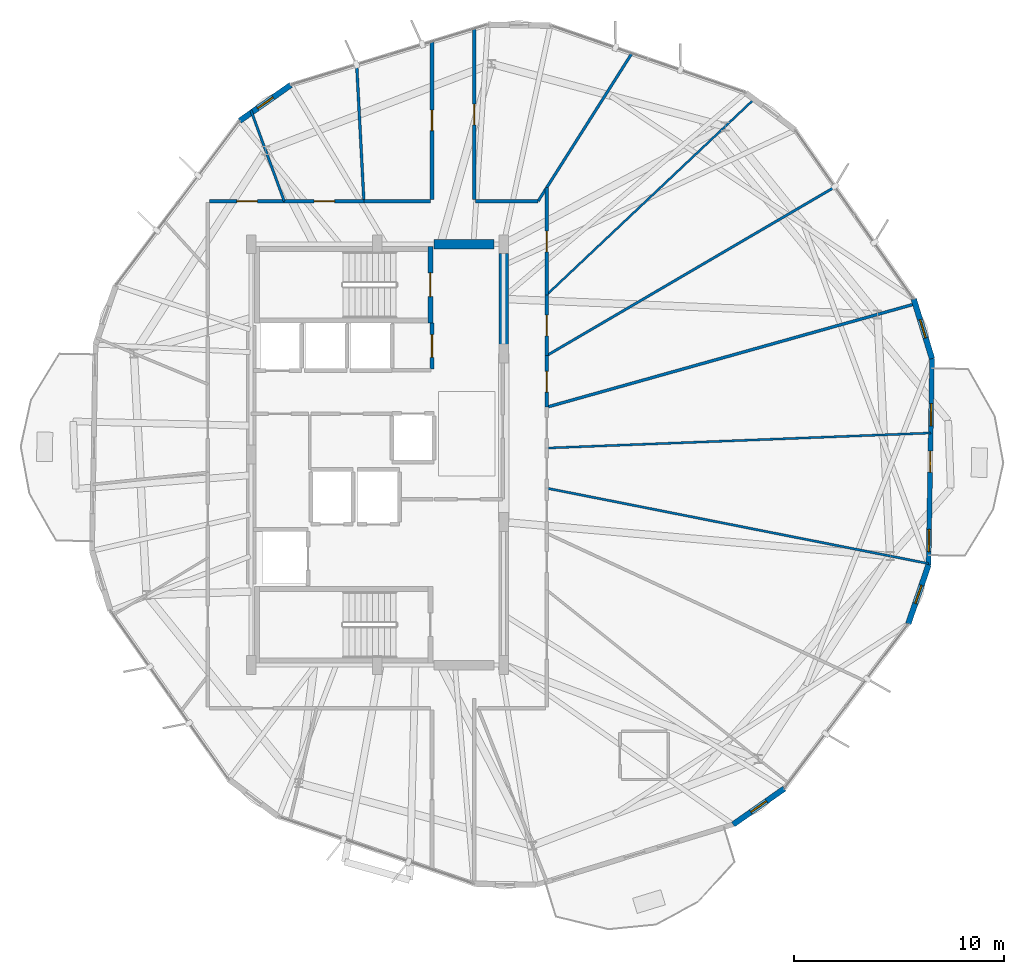
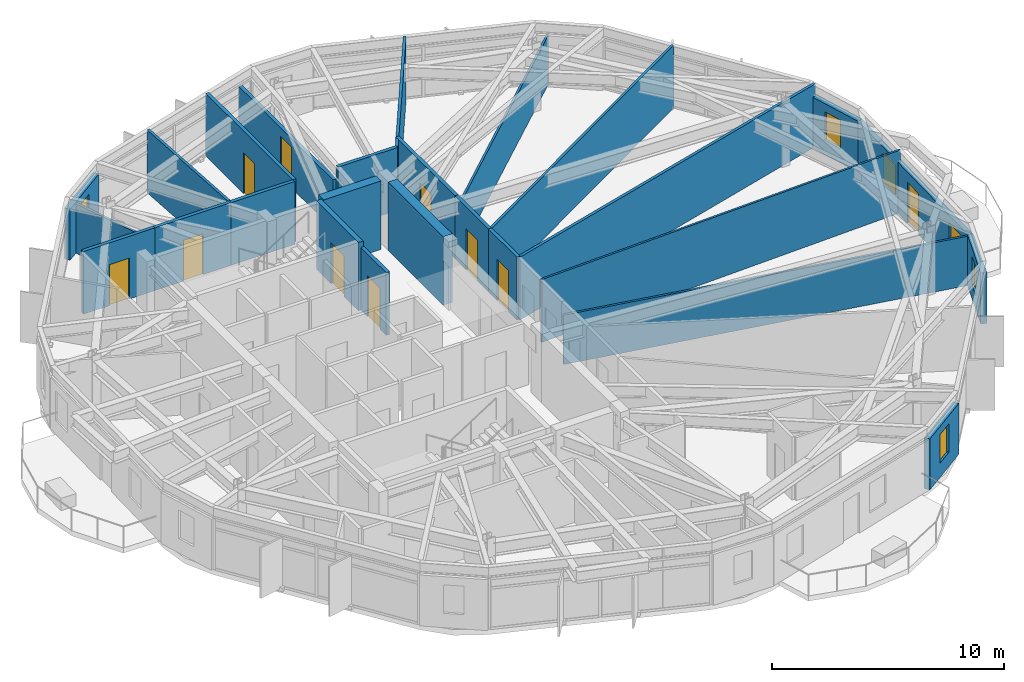
# One storey, part 25 of 29: 26 walls, 10 doors, 6 windows, 16 openings.
"""IFC4 building model written with IfcOpenShell, lengths in metres."""

from ifc_helpers import new_model, si_unit, direction, frame, frame_2d, origin, place, context, subcontext, project, spatial, rectangle, extrude, material, layer, layer_set, type_object, element, fill, save


model = new_model("IFC4")

# Units and contexts
model_context = context("Model", 3, precision=1e-05, world=origin(), true_north=direction((0.0, 1.0)))
body_context = subcontext(model_context, "Body", "Model", "MODEL_VIEW")
ifc_project = project(units=[si_unit("LENGTHUNIT", "METRE"), si_unit("AREAUNIT", "SQUARE_METRE"), si_unit("VOLUMEUNIT", "CUBIC_METRE"), si_unit("PLANEANGLEUNIT", "RADIAN"), si_unit("MASSUNIT", "GRAM", prefix="KILO")], contexts=[model_context])

# Site, building, storey
site_placement = place(None, origin())
site = spatial("IfcSite", under=ifc_project, at=site_placement, CompositionType="ELEMENT")
building_placement = place(site_placement, origin())
building = spatial("IfcBuilding", under=site, at=building_placement, Name="Soratama Intermodal Tower", CompositionType="ELEMENT")
storey_placement = place(building_placement, frame((0.0, 0.0, 226.60009765625)))
storey = spatial("IfcBuildingStorey", under=building, at=storey_placement, Name="L57", CompositionType="ELEMENT", Elevation=226.60009765625)

# Wall, openings, door, windows
ifc_material_1 = material(Name="Concrete f'c 42 MPa", Category="concrete")
ifc_layer_1 = layer(ifc_material_1, 0.22998046875)
ifc_layer_set_1 = layer_set([ifc_layer_1], Name="Concrete f'c 42 MPa")
wall_type_1 = type_object("IfcWallType", Name="EW-BAL-230", PredefinedType="SOLIDWALL", material=ifc_layer_set_1)
wall_1_placement = place(storey_placement, frame((64.792236328125, 19.768798828125, 0.0), z_axis=(0.0, 0.0, 1.0), x_axis=(0.016744898116, 0.999859794365, 0.0)))
wall_1 = element("IfcWall", 1, at=wall_1_placement, inside=storey, type_object=wall_type_1, Name="L57 Terrace Wall F09", PredefinedType="SOLIDWALL", context=body_context, shape_type="SweptSolid", body=[
    extrude(rectangle(XDim=9.7978515625, YDim=0.22998046875, at=frame_2d((4.89892578125, 0.0))), origin(), (0.0, 0.0, 1.0), 2.678955078125),
])
opening_1_placement = place(wall_1_placement, frame((4.398681640625, 0.0, 0.0)))
opening_1 = element("IfcOpeningElement", 2, at=opening_1_placement, cuts=wall_1, Name="Opening ED-2", PredefinedType="OPENING", context=body_context, shape_type="SweptSolid", body=[
    extrude(rectangle(XDim=1.0, YDim=2.14990234375, at=frame_2d((0.5, 1.074951171875))), frame((0.0, 0.125, 0.0), z_axis=(0.0, -1.0, 0.0), x_axis=(1.0, 0.0, 0.0)), (0.0, 0.0, 1.0), 0.25),
])
opening_2_placement = place(wall_1_placement, frame((0.629150390625, 0.0, 0.719970703125)))
opening_2 = element("IfcOpeningElement", 3, at=opening_2_placement, cuts=wall_1, Name="Opening WN-5", PredefinedType="OPENING", context=body_context, shape_type="SweptSolid", body=[
    extrude(rectangle(XDim=1.050048828125, YDim=1.550048828125, at=frame_2d((0.52490234375, 0.77490234375))), frame((0.0, 0.125, 0.0), z_axis=(0.0, -1.0, 0.0), x_axis=(1.0, 0.0, 0.0)), (0.0, 0.0, 1.0), 0.25),
])
opening_3_placement = place(wall_1_placement, frame((6.60595703125, 0.0, 0.719970703125)))
opening_3 = element("IfcOpeningElement", 4, at=opening_3_placement, cuts=wall_1, Name="Opening WN-5", PredefinedType="OPENING", context=body_context, shape_type="SweptSolid", body=[
    extrude(rectangle(XDim=1.050048828125, YDim=1.550048828125, at=frame_2d((0.52490234375, 0.77490234375))), frame((0.0, 0.125, 0.0), z_axis=(0.0, -1.0, 0.0), x_axis=(1.0, 0.0, 0.0)), (0.0, 0.0, 1.0), 0.25),
])
ifc_material_2 = material(Name="Double-glazed aluminium door", Category="aluminium")
door_type_1 = type_object("IfcDoorType", Name="DR-BAL-1000", OperationType="NOTDEFINED", PredefinedType="DOOR", material=ifc_material_2)
door_1_placement = place(opening_1_placement, origin())
door_1 = element("IfcDoor", 5, at=door_1_placement, inside=storey, type_object=door_type_1, Name="L57 Balcony Door F09", OperationType="SINGLE_SWING_LEFT", OverallHeight=2.14990234375, OverallWidth=1.0, PredefinedType="DOOR", context=body_context, shape_type="SweptSolid", body=[
    extrude(rectangle(XDim=1.0, YDim=2.14990234375, at=frame_2d((0.5, 1.074951171875))), frame((0.0, 0.02490234375, 0.0), z_axis=(0.0, -1.0, 0.0), x_axis=(1.0, 0.0, 0.0)), (0.0, 0.0, 1.0), 0.050048828125),
])
fill(opening_1, door_1)
ifc_material_3 = material(Name="Double-glazed aluminium window", Category="aluminium")
window_type_1 = type_object("IfcWindowType", Name="WN-FAC-1050", PartitioningType="SINGLE_PANEL", PredefinedType="WINDOW", material=ifc_material_3)
window_1_placement = place(opening_2_placement, origin())
window_1 = element("IfcWindow", 6, at=window_1_placement, inside=storey, type_object=window_type_1, Name="L57 Window A F09", OverallHeight=1.550048828125, OverallWidth=1.050048828125, PartitioningType="SINGLE_PANEL", PredefinedType="WINDOW", context=body_context, shape_type="SweptSolid", body=[
    extrude(rectangle(XDim=1.050048828125, YDim=1.550048828125, at=frame_2d((0.52490234375, 0.77490234375))), frame((0.0, 0.030029296875, 0.0), z_axis=(0.0, -1.0, 0.0), x_axis=(1.0, 0.0, 0.0)), (0.0, 0.0, 1.0), 0.06005859375),
])
fill(opening_2, window_1)
window_2_placement = place(opening_3_placement, origin())
window_2 = element("IfcWindow", 7, at=window_2_placement, inside=storey, type_object=window_type_1, Name="L57 Window B F09", OverallHeight=1.550048828125, OverallWidth=1.050048828125, PartitioningType="SINGLE_PANEL", PredefinedType="WINDOW", context=body_context, shape_type="SweptSolid", body=[
    extrude(rectangle(XDim=1.050048828125, YDim=1.550048828125, at=frame_2d((0.52490234375, 0.77490234375))), frame((0.0, 0.030029296875, 0.0), z_axis=(0.0, -1.0, 0.0), x_axis=(1.0, 0.0, 0.0)), (0.0, 0.0, 1.0), 0.06005859375),
])
fill(opening_3, window_2)

# Wall, opening, window
ifc_material_4 = material(Name="Concrete f'c 42 MPa", Category="concrete")
ifc_layer_2 = layer(ifc_material_4, 0.27001953125)
ifc_layer_set_2 = layer_set([ifc_layer_2], Name="Concrete f'c 42 MPa")
wall_type_2 = type_object("IfcWallType", Name="EW-CRN-270", PredefinedType="SOLIDWALL", material=ifc_layer_set_2)
wall_2_placement = place(storey_placement, frame((34.491455078125, 42.56884765625, 0.0), z_axis=(0.0, 0.0, 1.0), x_axis=(-0.818779304738, -0.574108395804, 0.0)))
wall_2 = element("IfcWall", 8, at=wall_2_placement, inside=storey, type_object=wall_type_2, Name="L57 Corner Closure Wall 02", PredefinedType="SOLIDWALL", context=body_context, shape_type="SweptSolid", body=[
    extrude(rectangle(XDim=2.966552734375, YDim=0.27001953125, at=frame_2d((1.4833984375, 0.0))), origin(), (0.0, 0.0, 1.0), 2.678955078125),
])
opening_4_placement = place(wall_2_placement, frame((1.033203125, 0.0, 0.75)))
opening_4 = element("IfcOpeningElement", 9, at=opening_4_placement, cuts=wall_2, Name="Opening WN-6", PredefinedType="OPENING", context=body_context, shape_type="SweptSolid", body=[
    extrude(rectangle(XDim=0.89990234375, YDim=1.5, at=frame_2d((0.449951171875, 0.75))), frame((0.0, 0.14501953125, 0.0), z_axis=(0.0, -1.0, 0.0), x_axis=(1.0, 0.0, 0.0)), (0.0, 0.0, 1.0), 0.2900390625),
])
ifc_material_5 = material(Name="Double-glazed aluminium window", Category="aluminium")
window_type_2 = type_object("IfcWindowType", Name="WN-FAC-900", PartitioningType="SINGLE_PANEL", PredefinedType="WINDOW", material=ifc_material_5)
window_3_placement = place(opening_4_placement, origin())
window_3 = element("IfcWindow", 10, at=window_3_placement, inside=storey, type_object=window_type_2, Name="L57 Corner Window 02", OverallHeight=1.5, OverallWidth=0.89990234375, PartitioningType="SINGLE_PANEL", PredefinedType="WINDOW", context=body_context, shape_type="SweptSolid", body=[
    extrude(rectangle(XDim=0.89990234375, YDim=1.5, at=frame_2d((0.449951171875, 0.75))), frame((0.0, 0.030029296875, 0.0), z_axis=(0.0, -1.0, 0.0), x_axis=(1.0, 0.0, 0.0)), (0.0, 0.0, 1.0), 0.06005859375),
])
fill(opening_4, window_3)

wall_3_placement = place(storey_placement, frame((55.508544921875, 7.43115234375, 0.0), z_axis=(0.0, 0.0, 1.0), x_axis=(0.818779304738, 0.574108395804, 0.0)))
wall_3 = element("IfcWall", 11, at=wall_3_placement, inside=storey, type_object=wall_type_2, Name="L57 Corner Closure Wall 07", PredefinedType="SOLIDWALL", context=body_context, shape_type="SweptSolid", body=[
    extrude(rectangle(XDim=2.966552734375, YDim=0.27001953125, at=frame_2d((1.4833984375, 0.0))), origin(), (0.0, 0.0, 1.0), 2.678955078125),
])
opening_5_placement = place(wall_3_placement, frame((1.033203125, 0.0, 0.75)))
opening_5 = element("IfcOpeningElement", 12, at=opening_5_placement, cuts=wall_3, Name="Opening WN-6", PredefinedType="OPENING", context=body_context, shape_type="SweptSolid", body=[
    extrude(rectangle(XDim=0.89990234375, YDim=1.5, at=frame_2d((0.449951171875, 0.75))), frame((0.0, 0.14501953125, 0.0), z_axis=(0.0, -1.0, 0.0), x_axis=(1.0, 0.0, 0.0)), (0.0, 0.0, 1.0), 0.2900390625),
])
window_4_placement = place(opening_5_placement, origin())
window_4 = element("IfcWindow", 13, at=window_4_placement, inside=storey, type_object=window_type_2, Name="L57 Corner Window 07", OverallHeight=1.5, OverallWidth=0.89990234375, PartitioningType="SINGLE_PANEL", PredefinedType="WINDOW", context=body_context, shape_type="SweptSolid", body=[
    extrude(rectangle(XDim=0.89990234375, YDim=1.5, at=frame_2d((0.449951171875, 0.75))), frame((0.0, 0.030029296875, 0.0), z_axis=(0.0, -1.0, 0.0), x_axis=(1.0, 0.0, 0.0)), (0.0, 0.0, 1.0), 0.06005859375),
])
fill(opening_5, window_4)

wall_4_placement = place(storey_placement, frame((63.828369140625, 16.963134765625, 0.0), z_axis=(0.0, 0.0, 1.0), x_axis=(0.324904964625, 0.945746670077, 0.0)))
wall_4 = element("IfcWall", 14, at=wall_4_placement, inside=storey, type_object=wall_type_2, Name="L57 Corner Closure Wall 08", PredefinedType="SOLIDWALL", context=body_context, shape_type="SweptSolid", body=[
    extrude(rectangle(XDim=2.966552734375, YDim=0.27001953125, at=frame_2d((1.4833984375, 0.0))), origin(), (0.0, 0.0, 1.0), 2.678955078125),
])
opening_6_placement = place(wall_4_placement, frame((1.033203125, 0.0, 0.75)))
opening_6 = element("IfcOpeningElement", 15, at=opening_6_placement, cuts=wall_4, Name="Opening WN-6", PredefinedType="OPENING", context=body_context, shape_type="SweptSolid", body=[
    extrude(rectangle(XDim=0.89990234375, YDim=1.5, at=frame_2d((0.449951171875, 0.75))), frame((0.0, 0.14501953125, 0.0), z_axis=(0.0, -1.0, 0.0), x_axis=(1.0, 0.0, 0.0)), (0.0, 0.0, 1.0), 0.2900390625),
])
window_5_placement = place(opening_6_placement, origin())
window_5 = element("IfcWindow", 16, at=window_5_placement, inside=storey, type_object=window_type_2, Name="L57 Corner Window 08", OverallHeight=1.5, OverallWidth=0.89990234375, PartitioningType="SINGLE_PANEL", PredefinedType="WINDOW", context=body_context, shape_type="SweptSolid", body=[
    extrude(rectangle(XDim=0.89990234375, YDim=1.5, at=frame_2d((0.449951171875, 0.75))), frame((0.0, 0.030029296875, 0.0), z_axis=(0.0, -1.0, 0.0), x_axis=(1.0, 0.0, 0.0)), (0.0, 0.0, 1.0), 0.06005859375),
])
fill(opening_6, window_5)

wall_5_placement = place(storey_placement, frame((64.956298828125, 29.565185546875, 0.0), z_axis=(0.0, 0.0, 1.0), x_axis=(-0.293050545602, 0.95609694996, 0.0)))
wall_5 = element("IfcWall", 17, at=wall_5_placement, inside=storey, type_object=wall_type_2, Name="L57 Corner Closure Wall 09", PredefinedType="SOLIDWALL", context=body_context, shape_type="SweptSolid", body=[
    extrude(rectangle(XDim=2.966552734375, YDim=0.27001953125, at=frame_2d((1.4833984375, 0.0))), origin(), (0.0, 0.0, 1.0), 2.678955078125),
])
opening_7_placement = place(wall_5_placement, frame((1.033203125, 0.0, 0.75)))
opening_7 = element("IfcOpeningElement", 18, at=opening_7_placement, cuts=wall_5, Name="Opening WN-6", PredefinedType="OPENING", context=body_context, shape_type="SweptSolid", body=[
    extrude(rectangle(XDim=0.89990234375, YDim=1.5, at=frame_2d((0.449951171875, 0.75))), frame((0.0, 0.14501953125, 0.0), z_axis=(0.0, -1.0, 0.0), x_axis=(1.0, 0.0, 0.0)), (0.0, 0.0, 1.0), 0.2900390625),
])
window_6_placement = place(opening_7_placement, origin())
window_6 = element("IfcWindow", 19, at=window_6_placement, inside=storey, type_object=window_type_2, Name="L57 Corner Window 09", OverallHeight=1.5, OverallWidth=0.89990234375, PartitioningType="SINGLE_PANEL", PredefinedType="WINDOW", context=body_context, shape_type="SweptSolid", body=[
    extrude(rectangle(XDim=0.89990234375, YDim=1.5, at=frame_2d((0.449951171875, 0.75))), frame((0.0, 0.030029296875, 0.0), z_axis=(0.0, -1.0, 0.0), x_axis=(1.0, 0.0, 0.0)), (0.0, 0.0, 1.0), 0.06005859375),
])
fill(opening_7, window_6)

# Wall, opening, door
ifc_material_6 = material(Name="Fire-rated gypsum stud partition", Category="concrete")
ifc_layer_3 = layer(ifc_material_6, 0.169921875)
ifc_layer_set_3 = layer_set([ifc_layer_3], Name="Fire-rated gypsum stud partition")
wall_type_3 = type_object("IfcWallType", Name="IW-PART-R170", PredefinedType="PARTITIONING", material=ifc_layer_set_3)
wall_6_placement = place(storey_placement, frame((43.199951171875, 45.238037109375, 0.0), z_axis=(0.0, 0.0, 1.0), x_axis=(0.0, -1.0, 0.0)))
wall_6 = element("IfcWall", 20, at=wall_6_placement, inside=storey, type_object=wall_type_3, Name="L57 Partition W-L57-TP010", PredefinedType="PARTITIONING", context=body_context, shape_type="SweptSolid", body=[
    extrude(rectangle(XDim=8.117919921875, YDim=0.169921875, at=frame_2d((4.05908203125, 0.0))), origin(), (0.0, 0.0, 1.0), 2.594970703125),
])
opening_8_placement = place(wall_6_placement, frame((3.583984375, 0.0, 0.0)))
opening_8 = element("IfcOpeningElement", 21, at=opening_8_placement, cuts=wall_6, Name="Opening ID-5", PredefinedType="OPENING", context=body_context, shape_type="SweptSolid", body=[
    extrude(rectangle(XDim=0.97998046875, YDim=2.14990234375, at=frame_2d((0.489990234375, 1.074951171875))), frame((0.0, 0.094970703125, 0.0), z_axis=(0.0, -1.0, 0.0), x_axis=(1.0, 0.0, 0.0)), (0.0, 0.0, 1.0), 0.18994140625),
])
ifc_material_7 = material(Name="Solid hardwood acoustic door", Category="wood")
door_type_2 = type_object("IfcDoorType", Name="DR-OFF-980", OperationType="NOTDEFINED", PredefinedType="DOOR", material=ifc_material_7)
door_2_placement = place(opening_8_placement, origin())
door_2 = element("IfcDoor", 22, at=door_2_placement, inside=storey, type_object=door_type_2, Name="L57 Door D-L57-TP001", OperationType="SINGLE_SWING_RIGHT", OverallHeight=2.14990234375, OverallWidth=0.97998046875, PredefinedType="DOOR", context=body_context, shape_type="SweptSolid", body=[
    extrude(rectangle(XDim=0.97998046875, YDim=2.14990234375, at=frame_2d((0.489990234375, 1.074951171875))), frame((0.0, 0.02490234375, 0.0), z_axis=(0.0, -1.0, 0.0), x_axis=(1.0, 0.0, 0.0)), (0.0, 0.0, 1.0), 0.050048828125),
])
fill(opening_8, door_2)

wall_7_placement = place(storey_placement, frame((41.199951171875, 37.1201171875, 0.0), z_axis=(0.0, 0.0, 1.0), x_axis=(0.0, 1.0, 0.0)))
wall_7 = element("IfcWall", 23, at=wall_7_placement, inside=storey, type_object=wall_type_3, Name="L57 Partition W-L57-TP012", PredefinedType="PARTITIONING", context=body_context, shape_type="SweptSolid", body=[
    extrude(rectangle(XDim=7.5048828125, YDim=0.169921875, at=frame_2d((3.75244140625, 0.0))), origin(), (0.0, 0.0, 1.0), 3.2998046875),
])
opening_9_placement = place(wall_7_placement, frame((3.278076171875, 0.0, 0.0)))
opening_9 = element("IfcOpeningElement", 24, at=opening_9_placement, cuts=wall_7, Name="Opening ID-5", PredefinedType="OPENING", context=body_context, shape_type="SweptSolid", body=[
    extrude(rectangle(XDim=0.97998046875, YDim=2.14990234375, at=frame_2d((0.489990234375, 1.074951171875))), frame((0.0, 0.094970703125, 0.0), z_axis=(0.0, -1.0, 0.0), x_axis=(1.0, 0.0, 0.0)), (0.0, 0.0, 1.0), 0.18994140625),
])
door_3_placement = place(opening_9_placement, origin())
door_3 = element("IfcDoor", 25, at=door_3_placement, inside=storey, type_object=door_type_2, Name="L57 Door D-L57-TP003", OperationType="SINGLE_SWING_RIGHT", OverallHeight=2.14990234375, OverallWidth=0.97998046875, PredefinedType="DOOR", context=body_context, shape_type="SweptSolid", body=[
    extrude(rectangle(XDim=0.97998046875, YDim=2.14990234375, at=frame_2d((0.489990234375, 1.074951171875))), frame((0.0, 0.02490234375, 0.0), z_axis=(0.0, -1.0, 0.0), x_axis=(1.0, 0.0, 0.0)), (0.0, 0.0, 1.0), 0.050048828125),
])
fill(opening_9, door_3)

wall_8_placement = place(storey_placement, frame((46.64990234375, 37.695068359375, 0.0), z_axis=(0.0, 0.0, 1.0), x_axis=(0.0, -1.0, 0.0)))
wall_8 = element("IfcWall", 26, at=wall_8_placement, inside=storey, type_object=wall_type_3, Name="L57 Partition W-L57-TP024", PredefinedType="PARTITIONING", context=body_context, shape_type="SweptSolid", body=[
    extrude(rectangle(XDim=5.09814453125, YDim=0.169921875, at=frame_2d((2.549072265625, 0.0))), origin(), (0.0, 0.0, 1.0), 3.2998046875),
])
opening_10_placement = place(wall_8_placement, frame((2.073974609375, 0.0, 0.0)))
opening_10 = element("IfcOpeningElement", 27, at=opening_10_placement, cuts=wall_8, Name="Opening ID-5", PredefinedType="OPENING", context=body_context, shape_type="SweptSolid", body=[
    extrude(rectangle(XDim=0.97998046875, YDim=2.14990234375, at=frame_2d((0.489990234375, 1.074951171875))), frame((0.0, 0.094970703125, 0.0), z_axis=(0.0, -1.0, 0.0), x_axis=(1.0, 0.0, 0.0)), (0.0, 0.0, 1.0), 0.18994140625),
])
door_4_placement = place(opening_10_placement, origin())
door_4 = element("IfcDoor", 28, at=door_4_placement, inside=storey, type_object=door_type_2, Name="L57 Door D-L57-TP009", OperationType="SINGLE_SWING_RIGHT", OverallHeight=2.14990234375, OverallWidth=0.97998046875, PredefinedType="DOOR", context=body_context, shape_type="SweptSolid", body=[
    extrude(rectangle(XDim=0.97998046875, YDim=2.14990234375, at=frame_2d((0.489990234375, 1.074951171875))), frame((0.0, 0.02490234375, 0.0), z_axis=(0.0, -1.0, 0.0), x_axis=(1.0, 0.0, 0.0)), (0.0, 0.0, 1.0), 0.050048828125),
])
fill(opening_10, door_4)

wall_9_placement = place(storey_placement, frame((34.177001953125, 37.050048828125, 0.0), z_axis=(0.0, 0.0, 1.0), x_axis=(1.0, 0.0, 0.0)))
wall_9 = element("IfcWall", 29, at=wall_9_placement, inside=storey, type_object=wall_type_3, Name="L57 Partition W-L57-TP029", PredefinedType="PARTITIONING", context=body_context, shape_type="SweptSolid", body=[
    extrude(rectangle(XDim=3.785888671875, YDim=0.169921875, at=frame_2d((1.89306640625, 0.0))), origin(), (0.0, 0.0, 1.0), 3.2998046875),
])
opening_11_placement = place(wall_9_placement, frame((1.41796875, 0.0, 0.0)))
opening_11 = element("IfcOpeningElement", 30, at=opening_11_placement, cuts=wall_9, Name="Opening ID-5", PredefinedType="OPENING", context=body_context, shape_type="SweptSolid", body=[
    extrude(rectangle(XDim=0.97998046875, YDim=2.14990234375, at=frame_2d((0.489990234375, 1.074951171875))), frame((0.0, 0.094970703125, 0.0), z_axis=(0.0, -1.0, 0.0), x_axis=(1.0, 0.0, 0.0)), (0.0, 0.0, 1.0), 0.18994140625),
])
door_5_placement = place(opening_11_placement, origin())
door_5 = element("IfcDoor", 31, at=door_5_placement, inside=storey, type_object=door_type_2, Name="L57 Door D-L57-TP013", OperationType="SINGLE_SWING_RIGHT", OverallHeight=2.14990234375, OverallWidth=0.97998046875, PredefinedType="DOOR", context=body_context, shape_type="SweptSolid", body=[
    extrude(rectangle(XDim=0.97998046875, YDim=2.14990234375, at=frame_2d((0.489990234375, 1.074951171875))), frame((0.0, 0.02490234375, 0.0), z_axis=(0.0, -1.0, 0.0), x_axis=(1.0, 0.0, 0.0)), (0.0, 0.0, 1.0), 0.050048828125),
])
fill(opening_11, door_5)

wall_10_placement = place(storey_placement, frame((30.6201171875, 37.050048828125, 0.0), z_axis=(0.0, 0.0, 1.0), x_axis=(1.0, 0.0, 0.0)))
wall_10 = element("IfcWall", 32, at=wall_10_placement, inside=storey, type_object=wall_type_3, Name="L57 Partition W-L57-TP030", PredefinedType="PARTITIONING", context=body_context, shape_type="SweptSolid", body=[
    extrude(rectangle(XDim=3.556884765625, YDim=0.169921875, at=frame_2d((1.7783203125, 0.0))), origin(), (0.0, 0.0, 1.0), 3.2998046875),
])
opening_12_placement = place(wall_10_placement, frame((1.302978515625, 0.0, 0.0)))
opening_12 = element("IfcOpeningElement", 33, at=opening_12_placement, cuts=wall_10, Name="Opening ID-5", PredefinedType="OPENING", context=body_context, shape_type="SweptSolid", body=[
    extrude(rectangle(XDim=0.97998046875, YDim=2.14990234375, at=frame_2d((0.489990234375, 1.074951171875))), frame((0.0, 0.094970703125, 0.0), z_axis=(0.0, -1.0, 0.0), x_axis=(1.0, 0.0, 0.0)), (0.0, 0.0, 1.0), 0.18994140625),
])
door_6_placement = place(opening_12_placement, origin())
door_6 = element("IfcDoor", 34, at=door_6_placement, inside=storey, type_object=door_type_2, Name="L57 Door D-L57-TP014", OperationType="SINGLE_SWING_LEFT", OverallHeight=2.14990234375, OverallWidth=0.97998046875, PredefinedType="DOOR", context=body_context, shape_type="SweptSolid", body=[
    extrude(rectangle(XDim=0.97998046875, YDim=2.14990234375, at=frame_2d((0.489990234375, 1.074951171875))), frame((0.0, 0.02490234375, 0.0), z_axis=(0.0, -1.0, 0.0), x_axis=(1.0, 0.0, 0.0)), (0.0, 0.0, 1.0), 0.050048828125),
])
fill(opening_12, door_6)

# Walls
wall_11_placement = place(storey_placement, frame((37.962890625, 37.050048828125, 0.0), z_axis=(0.0, 0.0, 1.0), x_axis=(1.0, 0.0, 0.0)))
element("IfcWall", 35, at=wall_11_placement, inside=storey, type_object=wall_type_3, Name="L57 Partition W-L57-TP033", PredefinedType="PARTITIONING", context=body_context, shape_type="SweptSolid", body=[
    extrude(rectangle(XDim=3.1669921875, YDim=0.169921875, at=frame_2d((1.58349609375, 0.0))), origin(), (0.0, 0.0, 1.0), 3.2998046875),
])
wall_12_placement = place(storey_placement, frame((43.27001953125, 37.050048828125, 0.0), z_axis=(0.0, 0.0, 1.0), x_axis=(1.0, 0.0, 0.0)))
element("IfcWall", 36, at=wall_12_placement, inside=storey, type_object=wall_type_3, Name="L57 Partition W-L57-TP036", PredefinedType="PARTITIONING", context=body_context, shape_type="SweptSolid", body=[
    extrude(rectangle(XDim=2.970947265625, YDim=0.169921875, at=frame_2d((1.4853515625, 0.0))), origin(), (0.0, 0.0, 1.0), 3.2998046875),
])

# Wall, opening, door
wall_13_placement = place(storey_placement, frame((46.64990234375, 32.596923828125, 0.0), z_axis=(0.0, 0.0, 1.0), x_axis=(0.0, -1.0, 0.0)))
wall_13 = element("IfcWall", 37, at=wall_13_placement, inside=storey, type_object=wall_type_3, Name="L57 Partition W-L57-TP037", PredefinedType="PARTITIONING", context=body_context, shape_type="SweptSolid", body=[
    extrude(rectangle(XDim=2.885986328125, YDim=0.169921875, at=frame_2d((1.44287109375, 0.0))), origin(), (0.0, 0.0, 1.0), 3.2998046875),
])
opening_13_placement = place(wall_13_placement, frame((0.968017578125, 0.0, 0.0)))
opening_13 = element("IfcOpeningElement", 38, at=opening_13_placement, cuts=wall_13, Name="Opening ID-5", PredefinedType="OPENING", context=body_context, shape_type="SweptSolid", body=[
    extrude(rectangle(XDim=0.97998046875, YDim=2.14990234375, at=frame_2d((0.489990234375, 1.074951171875))), frame((0.0, 0.094970703125, 0.0), z_axis=(0.0, -1.0, 0.0), x_axis=(1.0, 0.0, 0.0)), (0.0, 0.0, 1.0), 0.18994140625),
])
door_7_placement = place(opening_13_placement, origin())
door_7 = element("IfcDoor", 39, at=door_7_placement, inside=storey, type_object=door_type_2, Name="L57 Door D-L57-TP016", OperationType="SINGLE_SWING_LEFT", OverallHeight=2.14990234375, OverallWidth=0.97998046875, PredefinedType="DOOR", context=body_context, shape_type="SweptSolid", body=[
    extrude(rectangle(XDim=0.97998046875, YDim=2.14990234375, at=frame_2d((0.489990234375, 1.074951171875))), frame((0.0, 0.02490234375, 0.0), z_axis=(0.0, -1.0, 0.0), x_axis=(1.0, 0.0, 0.0)), (0.0, 0.0, 1.0), 0.050048828125),
])
fill(opening_13, door_7)

wall_14_placement = place(storey_placement, frame((46.64990234375, 29.7109375, 0.0), z_axis=(0.0, 0.0, 1.0), x_axis=(0.0, -1.0, 0.0)))
wall_14 = element("IfcWall", 40, at=wall_14_placement, inside=storey, type_object=wall_type_3, Name="L57 Partition W-L57-TP041", PredefinedType="PARTITIONING", context=body_context, shape_type="SweptSolid", body=[
    extrude(rectangle(XDim=2.452880859375, YDim=0.169921875, at=frame_2d((1.2265625, 0.0))), origin(), (0.0, 0.0, 1.0), 3.2998046875),
])
opening_14_placement = place(wall_14_placement, frame((0.7509765625, 0.0, 0.0)))
opening_14 = element("IfcOpeningElement", 41, at=opening_14_placement, cuts=wall_14, Name="Opening ID-5", PredefinedType="OPENING", context=body_context, shape_type="SweptSolid", body=[
    extrude(rectangle(XDim=0.97998046875, YDim=2.14990234375, at=frame_2d((0.489990234375, 1.074951171875))), frame((0.0, 0.094970703125, 0.0), z_axis=(0.0, -1.0, 0.0), x_axis=(1.0, 0.0, 0.0)), (0.0, 0.0, 1.0), 0.18994140625),
])
door_8_placement = place(opening_14_placement, origin())
door_8 = element("IfcDoor", 42, at=door_8_placement, inside=storey, type_object=door_type_2, Name="L57 Door D-L57-TP019", OperationType="SINGLE_SWING_RIGHT", OverallHeight=2.14990234375, OverallWidth=0.97998046875, PredefinedType="DOOR", context=body_context, shape_type="SweptSolid", body=[
    extrude(rectangle(XDim=0.97998046875, YDim=2.14990234375, at=frame_2d((0.489990234375, 1.074951171875))), frame((0.0, 0.02490234375, 0.0), z_axis=(0.0, -1.0, 0.0), x_axis=(1.0, 0.0, 0.0)), (0.0, 0.0, 1.0), 0.050048828125),
])
fill(opening_14, door_8)

wall_15_placement = place(storey_placement, frame((41.199951171875, 29.070068359375, 0.0), z_axis=(0.0, 0.0, 1.0), x_axis=(0.0, 1.0, 0.0)))
wall_15 = element("IfcWall", 43, at=wall_15_placement, inside=storey, type_object=wall_type_3, Name="L57 Partition W-L57-TP042", PredefinedType="PARTITIONING", context=body_context, shape_type="SweptSolid", body=[
    extrude(rectangle(XDim=2.18994140625, YDim=0.169921875, at=frame_2d((1.094970703125, 0.0))), origin(), (0.0, 0.0, 1.0), 3.2998046875),
])
opening_15_placement = place(wall_15_placement, frame((0.554931640625, 0.0, 0.0)))
opening_15 = element("IfcOpeningElement", 44, at=opening_15_placement, cuts=wall_15, Name="Opening ID-1", PredefinedType="OPENING", context=body_context, shape_type="SweptSolid", body=[
    extrude(rectangle(XDim=1.080078125, YDim=2.14990234375, at=frame_2d((0.5400390625, 1.074951171875))), frame((0.0, 0.094970703125, 0.0), z_axis=(0.0, -1.0, 0.0), x_axis=(1.0, 0.0, 0.0)), (0.0, 0.0, 1.0), 0.18994140625),
])
ifc_material_8 = material(Name="Solid hardwood acoustic door", Category="wood")
door_type_3 = type_object("IfcDoorType", Name="DR-LOB-FD60", OperationType="NOTDEFINED", PredefinedType="DOOR", material=ifc_material_8)
door_9_placement = place(opening_15_placement, origin())
door_9 = element("IfcDoor", 45, at=door_9_placement, inside=storey, type_object=door_type_3, Name="L57 Door D-L57-TP020", OperationType="SINGLE_SWING_LEFT", OverallHeight=2.14990234375, OverallWidth=1.080078125, PredefinedType="DOOR", context=body_context, shape_type="SweptSolid", body=[
    extrude(rectangle(XDim=1.080078125, YDim=2.14990234375, at=frame_2d((0.5400390625, 1.074951171875))), frame((0.0, 0.02490234375, 0.0), z_axis=(0.0, -1.0, 0.0), x_axis=(1.0, 0.0, 0.0)), (0.0, 0.0, 1.0), 0.050048828125),
])
fill(opening_15, door_9)

# Walls
ifc_material_9 = material(Name="Fire-rated gypsum stud partition", Category="concrete")
ifc_layer_4 = layer(ifc_material_9, 0.10009765625)
ifc_layer_set_4 = layer_set([ifc_layer_4], Name="Fire-rated gypsum stud partition")
wall_type_4 = type_object("IfcWallType", Name="IW-PART-S100", PredefinedType="PARTITIONING", material=ifc_layer_set_4)
wall_16_placement = place(storey_placement, frame((64.89697265625, 26.031982421875, 0.0), z_axis=(0.0, 0.0, 1.0), x_axis=(-0.999230893131, -0.039212526218, 0.0)))
element("IfcWall", 46, at=wall_16_placement, inside=storey, type_object=wall_type_4, Name="L57 Partition W-L57-TP002", PredefinedType="PARTITIONING", context=body_context, shape_type="SweptSolid", body=[
    extrude(rectangle(XDim=18.26123046875, YDim=0.10009765625, at=frame_2d((9.130615234375, 0.0))), origin(), (0.0, 0.0, 1.0), 3.2998046875),
])
wall_17_placement = place(storey_placement, frame((46.64990234375, 32.596923828125, 0.0), z_axis=(0.0, 0.0, 1.0), x_axis=(0.72733783117, 0.686279592695, 0.0)))
element("IfcWall", 47, at=wall_17_placement, inside=storey, type_object=wall_type_4, Name="L57 Partition W-L57-TP007", PredefinedType="PARTITIONING", context=body_context, shape_type="SweptSolid", body=[
    extrude(rectangle(XDim=13.634765625, YDim=0.10009765625, at=frame_2d((6.8173828125, 0.0))), origin(), (0.0, 0.0, 1.0), 2.594970703125),
])
ifc_material_10 = material(Name="Fire-rated gypsum stud partition", Category="concrete")
ifc_layer_5 = layer(ifc_material_10, 0.110107421875)
ifc_layer_set_5 = layer_set([ifc_layer_5], Name="Fire-rated gypsum stud partition")
wall_type_5 = type_object("IfcWallType", Name="IW-PART-S110", PredefinedType="PARTITIONING", material=ifc_layer_set_5)
wall_18_placement = place(storey_placement, frame((46.64990234375, 23.409912109375, 0.0), z_axis=(0.0, 0.0, 1.0), x_axis=(0.981042007035, -0.193795202294, 0.0)))
element("IfcWall", 48, at=wall_18_placement, inside=storey, type_object=wall_type_5, Name="L57 Partition W-L57-TP001", PredefinedType="PARTITIONING", context=body_context, shape_type="SweptSolid", body=[
    extrude(rectangle(XDim=18.49365234375, YDim=0.110107421875, at=frame_2d((9.246826171875, 0.0))), origin(), (0.0, 0.0, 1.0), 2.594970703125),
])
ifc_material_11 = material(Name="Fire-rated gypsum stud partition", Category="concrete")
ifc_layer_6 = layer(ifc_material_11, 0.1201171875)
ifc_layer_set_6 = layer_set([ifc_layer_6], Name="Fire-rated gypsum stud partition")
wall_type_6 = type_object("IfcWallType", Name="IW-PART-S120", PredefinedType="PARTITIONING", material=ifc_layer_set_6)
wall_19_placement = place(storey_placement, frame((46.64990234375, 29.7109375, 0.0), z_axis=(0.0, 0.0, 1.0), x_axis=(0.863115514212, 0.505006543648, 0.0)))
element("IfcWall", 49, at=wall_19_placement, inside=storey, type_object=wall_type_6, Name="L57 Partition W-L57-TP005", PredefinedType="PARTITIONING", context=body_context, shape_type="SweptSolid", body=[
    extrude(rectangle(XDim=15.875244140625, YDim=0.1201171875, at=frame_2d((7.9375, 0.0))), origin(), (0.0, 0.0, 1.0), 3.2998046875),
])
wall_20_placement = place(storey_placement, frame((34.177001953125, 37.050048828125, 0.0), z_axis=(0.0, 0.0, 1.0), x_axis=(-0.344396316594, 0.938824359035, 0.0)))
element("IfcWall", 50, at=wall_20_placement, inside=storey, type_object=wall_type_6, Name="L57 Partition W-L57-TP025", PredefinedType="PARTITIONING", context=body_context, shape_type="SweptSolid", body=[
    extrude(rectangle(XDim=4.60791015625, YDim=0.1201171875, at=frame_2d((2.303955078125, 0.0))), origin(), (0.0, 0.0, 1.0), 2.594970703125),
])
ifc_material_12 = material(Name="Fire-rated gypsum stud partition", Category="concrete")
ifc_layer_7 = layer(ifc_material_12, 0.1298828125)
ifc_layer_set_7 = layer_set([ifc_layer_7], Name="Fire-rated gypsum stud partition")
wall_type_7 = type_object("IfcWallType", Name="IW-PART-S130", PredefinedType="PARTITIONING", material=ifc_layer_set_7)
wall_21_placement = place(storey_placement, frame((46.240966796875, 37.050048828125, 0.0), z_axis=(0.0, 0.0, 1.0), x_axis=(0.535691842885, 0.844413553578, 0.0)))
element("IfcWall", 51, at=wall_21_placement, inside=storey, type_object=wall_type_7, Name="L57 Partition W-L57-TP009", PredefinedType="PARTITIONING", context=body_context, shape_type="SweptSolid", body=[
    extrude(rectangle(XDim=8.30517578125, YDim=0.1298828125, at=frame_2d((4.152587890625, 0.0))), origin(), (0.0, 0.0, 1.0), 3.2998046875),
])
wall_22_placement = place(storey_placement, frame((37.962890625, 37.050048828125, 0.0), z_axis=(0.0, 0.0, 1.0), x_axis=(-0.052839325019, 0.998603027099, 0.0)))
element("IfcWall", 52, at=wall_22_placement, inside=storey, type_object=wall_type_7, Name="L57 Partition W-L57-TP014", PredefinedType="PARTITIONING", context=body_context, shape_type="SweptSolid", body=[
    extrude(rectangle(XDim=6.487060546875, YDim=0.1298828125, at=frame_2d((3.24365234375, 0.0))), origin(), (0.0, 0.0, 1.0), 3.2998046875),
])
ifc_material_13 = material(Name="Fire-rated gypsum stud partition", Category="concrete")
ifc_layer_8 = layer(ifc_material_13, 0.139892578125)
ifc_layer_set_8 = layer_set([ifc_layer_8], Name="Fire-rated gypsum stud partition")
wall_type_8 = type_object("IfcWallType", Name="IW-PART-S140", PredefinedType="PARTITIONING", material=ifc_layer_set_8)
wall_23_placement = place(storey_placement, frame((46.64990234375, 27.258056640625, 0.0), z_axis=(0.0, 0.0, 1.0), x_axis=(0.962850255887, 0.270035895277, 0.0)))
element("IfcWall", 53, at=wall_23_placement, inside=storey, type_object=wall_type_8, Name="L57 Partition W-L57-TP003", PredefinedType="PARTITIONING", context=body_context, shape_type="SweptSolid", body=[
    extrude(rectangle(XDim=18.22314453125, YDim=0.139892578125, at=frame_2d((9.111572265625, 0.0))), origin(), (0.0, 0.0, 1.0), 3.2998046875),
])
ifc_material_14 = material(Name="Concrete f'c 56 MPa", Category="concrete")
ifc_layer_9 = layer(ifc_material_14, 0.449951171875)
ifc_layer_set_9 = layer_set([ifc_layer_9], Name="Concrete f'c 56 MPa")
wall_type_9 = type_object("IfcWallType", Name="SW-CORE-450", PredefinedType="SHEAR", material=ifc_layer_set_9)
wall_24_placement = place(storey_placement, frame((41.300048828125, 35.0, 0.0), z_axis=(0.0, 0.0, 1.0), x_axis=(1.0, 0.0, 0.0)))
element("IfcWall", 54, at=wall_24_placement, inside=storey, type_object=wall_type_9, Name="L57 Core Shear Wall CW-NE", PredefinedType="SHEAR", context=body_context, shape_type="SweptSolid", body=[
    extrude(rectangle(XDim=2.849853515625, YDim=0.449951171875, at=frame_2d((1.4248046875, 0.0))), origin(), (0.0, 0.0, 1.0), 3.599853515625),
])
wall_25_placement = place(storey_placement, frame((44.60009765625, 29.800048828125, 0.0), z_axis=(0.0, 0.0, 1.0), x_axis=(0.0, 1.0, 0.0)))
element("IfcWall", 55, at=wall_25_placement, inside=storey, type_object=wall_type_9, Name="L57 Core Shear Wall CW-EN", PredefinedType="SHEAR", context=body_context, shape_type="SweptSolid", body=[
    extrude(rectangle(XDim=4.75, YDim=0.449951171875, at=frame_2d((2.375, 0.0))), origin(), (0.0, 0.0, 1.0), 3.599853515625),
])

# Wall, opening, door
ifc_material_15 = material(Name="Concrete f'c 56 MPa", Category="concrete")
ifc_layer_10 = layer(ifc_material_15, 0.239990234375)
ifc_layer_set_10 = layer_set([ifc_layer_10], Name="Concrete f'c 56 MPa")
wall_type_10 = type_object("IfcWallType", Name="SW-STAIR-240", PredefinedType="SHEAR", material=ifc_layer_set_10)
wall_26_placement = place(storey_placement, frame((41.1201171875, 31.260009765625, 0.0), z_axis=(0.0, 0.0, 1.0), x_axis=(0.0, 1.0, 0.0)))
wall_26 = element("IfcWall", 56, at=wall_26_placement, inside=storey, type_object=wall_type_10, Name="L57 ST-2 Shaft Shear Wall E", PredefinedType="SHEAR", context=body_context, shape_type="SweptSolid", body=[
    extrude(rectangle(XDim=3.6298828125, YDim=0.239990234375, at=frame_2d((1.81494140625, 0.0))), origin(), (0.0, 0.0, 1.0), 3.599853515625),
])
opening_16_placement = place(wall_26_placement, frame((1.2548828125, 0.0, 0.0)))
opening_16 = element("IfcOpeningElement", 57, at=opening_16_placement, cuts=wall_26, Name="Opening SD-1", PredefinedType="OPENING", context=body_context, shape_type="SweptSolid", body=[
    extrude(rectangle(XDim=1.1201171875, YDim=2.14990234375, at=frame_2d((0.56005859375, 1.074951171875))), frame((0.0, 0.1298828125, 0.0), z_axis=(0.0, -1.0, 0.0), x_axis=(1.0, 0.0, 0.0)), (0.0, 0.0, 1.0), 0.260009765625),
])
ifc_material_16 = material(Name="Steel fire door", Category="steel")
door_type_4 = type_object("IfcDoorType", Name="DR-STAIR-FD90", OperationType="NOTDEFINED", PredefinedType="DOOR", material=ifc_material_16)
door_10_placement = place(opening_16_placement, origin())
door_10 = element("IfcDoor", 58, at=door_10_placement, inside=storey, type_object=door_type_4, Name="L57 ST-2 Exit Stair Door", OperationType="SINGLE_SWING_RIGHT", OverallHeight=2.14990234375, OverallWidth=1.1201171875, PredefinedType="DOOR", context=body_context, shape_type="SweptSolid", body=[
    extrude(rectangle(XDim=1.1201171875, YDim=2.14990234375, at=frame_2d((0.56005859375, 1.074951171875))), frame((0.0, 0.02490234375, 0.0), z_axis=(0.0, -1.0, 0.0), x_axis=(1.0, 0.0, 0.0)), (0.0, 0.0, 1.0), 0.050048828125),
])
fill(opening_16, door_10)

save(model, "model.ifc")
